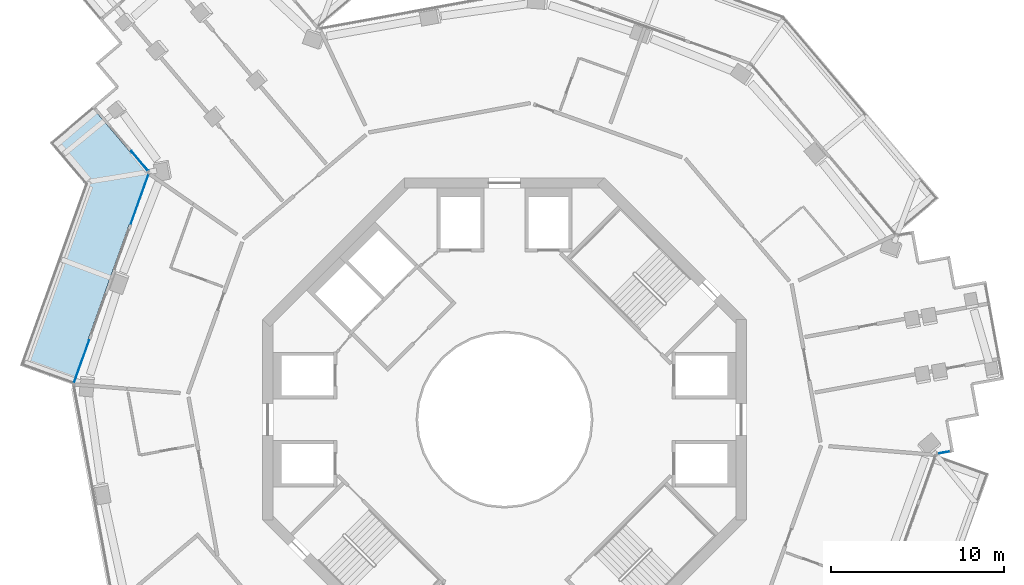
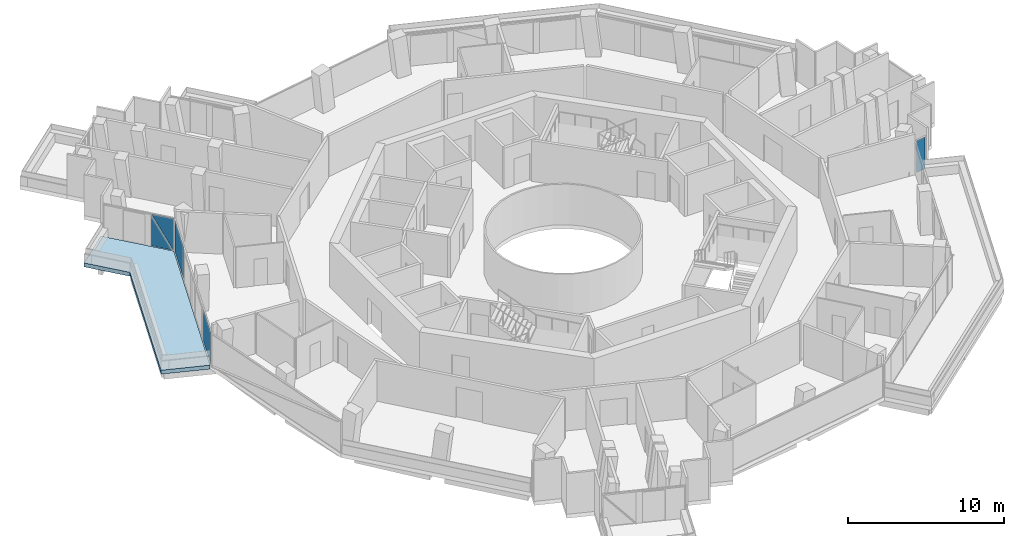
# One storey, part 11 of 21: 5 plates, 1 slab, 3 elements without a shape of their own.
"""IFC4 building model written with IfcOpenShell, lengths in metres."""

from ifc_helpers import new_model, si_unit, direction, frame, origin, origin_2d, place, context, subcontext, project, spatial, polyline, rectangle, outline, extrude, material, layer, layer_set, type_object, element, aggregate, save


model = new_model("IFC4")

# Units and contexts
model_context = context("Model", 3, precision=1e-05, world=origin(), true_north=direction((0.0, 1.0)))
body_context = subcontext(model_context, "Body", "Model", "MODEL_VIEW")
ifc_project = project(units=[si_unit("LENGTHUNIT", "METRE"), si_unit("AREAUNIT", "SQUARE_METRE"), si_unit("VOLUMEUNIT", "CUBIC_METRE"), si_unit("PLANEANGLEUNIT", "RADIAN"), si_unit("MASSUNIT", "GRAM", prefix="KILO")], contexts=[model_context])

# Site, building, storey
site_placement = place(None, origin())
site = spatial("IfcSite", under=ifc_project, at=site_placement, CompositionType="ELEMENT")
building_placement = place(site_placement, origin())
building = spatial("IfcBuilding", under=site, at=building_placement, Name="Verdalira Terraces Hotel", CompositionType="ELEMENT")
storey_placement = place(building_placement, frame((0.0, 0.0, 197.5)))
storey = spatial("IfcBuildingStorey", under=building, at=storey_placement, Name="L48", CompositionType="ELEMENT", Elevation=197.5)

# Slab
ifc_material_1 = material(Name="Precast concrete C40/50", Category="concrete")
ifc_layer_1 = layer(ifc_material_1, 0.31005859375)
ifc_layer_set_1 = layer_set([ifc_layer_1], Name="Balcony deck 310")
slab_type = type_object("IfcSlabType", Name="Balcony deck 310", PredefinedType="FLOOR", material=ifc_layer_set_1)
slab_placement = place(storey_placement, frame((0.0, 0.0, -0.310059)))
element("IfcSlab", 1, at=slab_placement, inside=storey, type_object=slab_type, Name="Balcony deck", PredefinedType="FLOOR", context=body_context, shape_type="SweptSolid", body=[
    extrude(outline(polyline([(-24.287598, 13.627686), (-28.043457, 3.126709), (-25.030273, 2.049072), (-20.652344, 14.289795), (-23.881836, 18.094971), (-26.321533, 16.024414), (-24.287598, 13.627686)])), origin(), (0.0, 0.0, 1.0), 0.310059),
])

# Curtain wall, plates
ifc_material_2 = material(Name="Clear glass", Category="glass")
ifc_layer_2 = layer(ifc_material_2, 0.14990234375)
ifc_layer_set_2 = layer_set([ifc_layer_2], Name="CW1 curtain wall")
curtain_wall_type_1 = type_object("IfcCurtainWallType", Name="CW1 curtain wall", PredefinedType="NOTDEFINED", material=ifc_layer_set_2)
curtain_wall_1_placement = place(storey_placement, origin())
curtain_wall_1 = element("IfcCurtainWall", 2, at=curtain_wall_1_placement, inside=storey, type_object=curtain_wall_type_1, Name="CW1 curtain wall L48 edge 11", PredefinedType="NOTDEFINED")
ifc_material_3 = material(Name="Clear glass", Category="glass")
ifc_layer_3 = layer(ifc_material_3, 0.028076171875)
ifc_layer_set_3 = layer_set([ifc_layer_3], Name="CW1 glass unit 28")
plate_type_1 = type_object("IfcPlateType", Name="CW1 glass unit 28", PredefinedType="CURTAIN_PANEL", material=ifc_layer_set_3)
plate_1_placement = place(storey_placement, frame((-21.11377, 12.776855, 0.0), z_axis=(0.0, 0.0, 1.0), x_axis=(-0.336766603, -0.941588156, 0.0)))
plate_1 = element("IfcPlate", 3, at=plate_1_placement, type_object=plate_type_1, Name="CW1 glass unit", PredefinedType="CURTAIN_PANEL", context=body_context, shape_type="SweptSolid", body=[
    extrude(rectangle(XDim=3.040039, YDim=0.028076, at=origin_2d()), origin(), (0.0, 0.0, 1.0), 2.475098),
])
plate_2_placement = place(storey_placement, frame((-24.481689, 3.360352, 0.0), z_axis=(0.0, 0.0, 1.0), x_axis=(-0.336766603, -0.941588156, 0.0)))
plate_2 = element("IfcPlate", 4, at=plate_2_placement, type_object=plate_type_1, Name="CW1 glass unit", PredefinedType="CURTAIN_PANEL", context=body_context, shape_type="SweptSolid", body=[
    extrude(rectangle(XDim=2.638428, YDim=0.028076, at=origin_2d()), origin(), (0.0, 0.0, 1.0), 2.475098),
])
aggregate(curtain_wall_1, [plate_1, plate_2])

ifc_material_4 = material(Name="Clear glass", Category="glass")
ifc_layer_4 = layer(ifc_material_4, 0.14990234375)
ifc_layer_set_4 = layer_set([ifc_layer_4], Name="CW2 curtain wall")
curtain_wall_type_2 = type_object("IfcCurtainWallType", Name="CW2 curtain wall", PredefinedType="NOTDEFINED", material=ifc_layer_set_4)
curtain_wall_2_placement = place(storey_placement, origin())
curtain_wall_2 = element("IfcCurtainWall", 5, at=curtain_wall_2_placement, inside=storey, type_object=curtain_wall_type_2, Name="CW2 curtain wall L48 edge 10", PredefinedType="NOTDEFINED")
ifc_material_5 = material(Name="Clear glass", Category="glass")
ifc_layer_5 = layer(ifc_material_5, 0.031982421875)
ifc_layer_set_5 = layer_set([ifc_layer_5], Name="CW2 glass unit 32")
plate_type_2 = type_object("IfcPlateType", Name="CW2 glass unit 32", PredefinedType="CURTAIN_PANEL", material=ifc_layer_set_5)
plate_3_placement = place(storey_placement, frame((-21.110596, 14.970215, 1.237549), z_axis=(-0.762442511, -0.647055962, 0.0), x_axis=(0.647055962, -0.762442511, 0.0)))
plate_3 = element("IfcPlate", 6, at=plate_3_placement, type_object=plate_type_2, Name="CW2 glass unit", PredefinedType="CURTAIN_PANEL", context=body_context, shape_type="SweptSolid", body=[
    extrude(outline(polyline([(-0.745605, -1.237549), (0.745605, -1.237549), (-0.745605, 1.237549), (-0.745605, -1.237549)])), origin(), (0.0, 0.0, 1.0), 0.031982),
])
plate_4_placement = place(storey_placement, frame((-21.085449, 14.991699, 1.237549), z_axis=(-0.762442511, -0.647055962, 0.0), x_axis=(0.647055962, -0.762442511, 0.0)))
plate_4 = element("IfcPlate", 7, at=plate_4_placement, type_object=plate_type_2, Name="CW2 glass unit", PredefinedType="CURTAIN_PANEL", context=body_context, shape_type="SweptSolid", body=[
    extrude(outline(polyline([(0.745605, -1.237549), (0.745605, 1.237549), (-0.745605, 1.237549), (0.745605, -1.237549)])), origin(), (0.0, 0.0, 1.0), 0.031982),
])
aggregate(curtain_wall_2, [plate_3, plate_4])

# Curtain wall, plate
curtain_wall_3_placement = place(storey_placement, origin())
curtain_wall_3 = element("IfcCurtainWall", 8, at=curtain_wall_3_placement, inside=storey, type_object=curtain_wall_type_2, Name="CW2 curtain wall L48 edge 28", PredefinedType="NOTDEFINED")
plate_5_placement = place(storey_placement, frame((25.435059, -1.89917, 0.0), z_axis=(0.0, 0.0, 1.0), x_axis=(0.983822564, 0.179145645, 0.0)))
plate_5 = element("IfcPlate", 9, at=plate_5_placement, type_object=plate_type_2, Name="CW2 glass unit", PredefinedType="CURTAIN_PANEL", context=body_context, shape_type="SweptSolid", body=[
    extrude(rectangle(XDim=0.709961, YDim=0.031982, at=origin_2d()), origin(), (0.0, 0.0, 1.0), 2.475098),
])
aggregate(curtain_wall_3, [plate_5])

save(model, "model.ifc")
